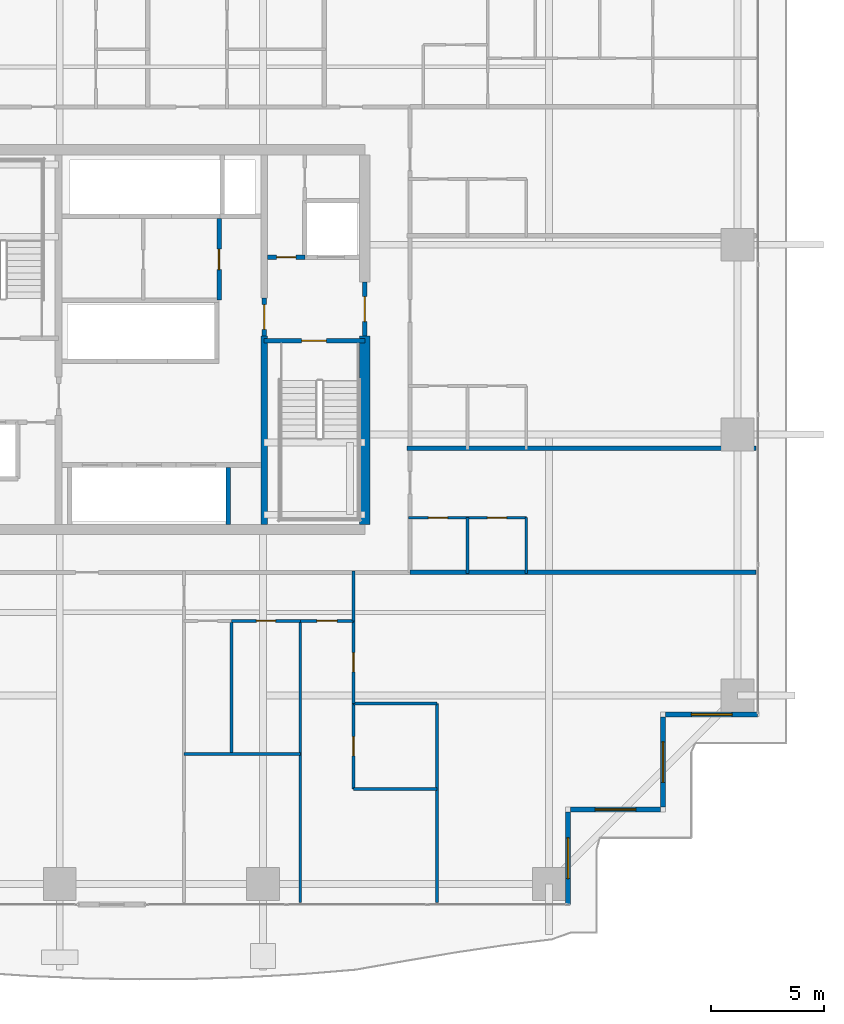
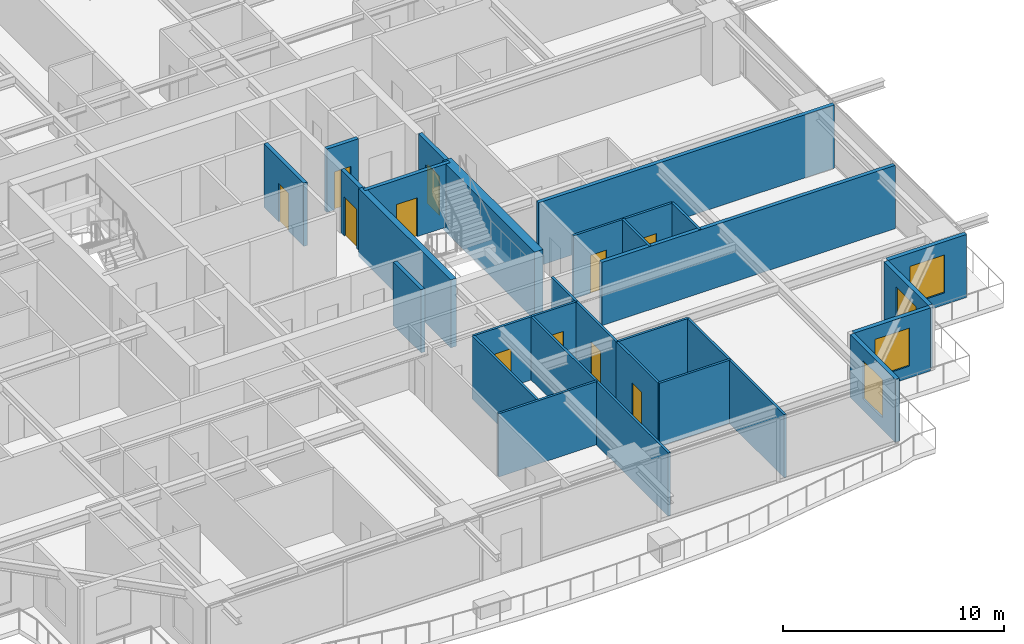
# One storey, part 29 of 40: 29 walls, 11 doors, 4 windows, 15 openings.
"""IFC4 building model written with IfcOpenShell, lengths in metres."""

from ifc_helpers import new_model, si_unit, direction, frame, frame_2d, origin, place, context, subcontext, project, spatial, rectangle, extrude, source, transform, mapped, material, layer, layer_set, type_object, element, fill, save


model = new_model("IFC4")

# Units and contexts
model_context = context("Model", 3, precision=1e-05, world=origin(), true_north=direction((0.0, 1.0)))
body_context = subcontext(model_context, "Body", "Model", "MODEL_VIEW")
ifc_project = project(units=[si_unit("LENGTHUNIT", "METRE"), si_unit("AREAUNIT", "SQUARE_METRE"), si_unit("VOLUMEUNIT", "CUBIC_METRE"), si_unit("PLANEANGLEUNIT", "RADIAN"), si_unit("MASSUNIT", "GRAM", prefix="KILO")], contexts=[model_context])

# Site, building, storey
site_placement = place(None, origin())
site = spatial("IfcSite", under=ifc_project, at=site_placement, CompositionType="ELEMENT")
building_placement = place(site_placement, origin())
building = spatial("IfcBuilding", under=site, at=building_placement, Name="Serunith Strait Residences", CompositionType="ELEMENT")
storey_placement = place(building_placement, frame((0.0, 0.0, 90.449951171875)))
storey = spatial("IfcBuildingStorey", under=building, at=storey_placement, Name="L22", CompositionType="ELEMENT", Elevation=90.449951171875)

# Wall, opening, window
ifc_material_1 = material(Name="Pale-Champagne Aluminium Insulated Panel", Category="aluminium")
ifc_layer_1 = layer(ifc_material_1, 0.219970703125, Name="Pale-Champagne Aluminium Insulated Panel")
ifc_layer_set_1 = layer_set([ifc_layer_1], Name="Pale-Champagne Aluminium Insulated Panel")
wall_type_1 = type_object("IfcWallType", Name="EW-ALUM-220", PredefinedType="ELEMENTEDWALL", material=ifc_layer_set_1)
wall_1_placement = place(storey_placement, frame((50.39990234375, 0.199951171875, 0.0), z_axis=(0.0, 0.0, 1.0), x_axis=(0.0, 1.0, 0.0)))
wall_1 = element("IfcWall", 1, at=wall_1_placement, inside=storey, type_object=wall_type_1, Name="L22 Girih Serrated Corner Wall 02", PredefinedType="ELEMENTEDWALL", context=body_context, shape_type="SweptSolid", body=[
    extrude(rectangle(XDim=4.090087890625, YDim=0.219970703125, at=frame_2d((2.044921875, 0.0))), origin(), (0.0, 0.0, 1.0), 3.47509765625),
])
opening_1_placement = place(wall_1_placement, frame((1.14501953125, 0.0, 0.64990234375)))
opening_1 = element("IfcOpeningElement", 2, at=opening_1_placement, cuts=wall_1, Name="Opening W-01", PredefinedType="OPENING", context=body_context, shape_type="SweptSolid", body=[
    extrude(rectangle(XDim=1.800048828125, YDim=2.10009765625, at=frame_2d((0.89990234375, 1.050048828125))), frame((0.0, 0.1201171875, 0.0), z_axis=(0.0, -1.0, 0.0), x_axis=(1.0, 0.0, 0.0)), (0.0, 0.0, 1.0), 0.239990234375),
])
ifc_material_2 = material(Name="Ceramic-Fritted Operable Aluminium Window Glass", Category="aluminium")
window_type = type_object("IfcWindowType", Name="WIN-C1", PartitioningType="DOUBLE_PANEL_VERTICAL", PredefinedType="WINDOW", material=ifc_material_2)
shared_shape_1 = source(origin(), body_context, "Body", "SweptSolid", [
    extrude(rectangle(XDim=1.800048828125, YDim=2.10009765625, at=frame_2d((0.89990234375, 1.050048828125))), frame((0.0, 0.030029296875, 0.0), z_axis=(0.0, -1.0, 0.0), x_axis=(1.0, 0.0, 0.0)), (0.0, 0.0, 1.0), 0.06005859375),
])
window_1_placement = place(opening_1_placement, origin())
window_1 = element("IfcWindow", 3, at=window_1_placement, inside=storey, type_object=window_type, Name="L22 Corner Operable Fritted Window 02", OverallHeight=2.10009765625, OverallWidth=1.800048828125, PartitioningType="SINGLE_PANEL", PredefinedType="WINDOW", context=body_context, shape_type="MappedRepresentation", body=[
    mapped(shared_shape_1, transform((0.0, 0.0, 0.0), scale=1.0)),
])
fill(opening_1, window_1)

wall_2_placement = place(storey_placement, frame((50.510009765625, 4.39990234375, 0.0), z_axis=(0.0, 0.0, 1.0), x_axis=(1.0, 0.0, 0.0)))
wall_2 = element("IfcWall", 4, at=wall_2_placement, inside=storey, type_object=wall_type_1, Name="L22 Girih Serrated Corner Wall 03", PredefinedType="ELEMENTEDWALL", context=body_context, shape_type="SweptSolid", body=[
    extrude(rectangle(XDim=3.97998046875, YDim=0.219970703125, at=frame_2d((1.989990234375, 0.0))), origin(), (0.0, 0.0, 1.0), 3.47509765625),
])
opening_2_placement = place(wall_2_placement, frame((1.090087890625, 0.0, 0.64990234375)))
opening_2 = element("IfcOpeningElement", 5, at=opening_2_placement, cuts=wall_2, Name="Opening W-01", PredefinedType="OPENING", context=body_context, shape_type="SweptSolid", body=[
    extrude(rectangle(XDim=1.800048828125, YDim=2.10009765625, at=frame_2d((0.89990234375, 1.050048828125))), frame((0.0, 0.1201171875, 0.0), z_axis=(0.0, -1.0, 0.0), x_axis=(1.0, 0.0, 0.0)), (0.0, 0.0, 1.0), 0.239990234375),
])
window_2_placement = place(opening_2_placement, origin())
window_2 = element("IfcWindow", 6, at=window_2_placement, inside=storey, type_object=window_type, Name="L22 Corner Operable Fritted Window 03", OverallHeight=2.10009765625, OverallWidth=1.800048828125, PartitioningType="SINGLE_PANEL", PredefinedType="WINDOW", context=body_context, shape_type="MappedRepresentation", body=[
    mapped(shared_shape_1, transform((0.0, 0.0, 0.0), scale=1.0)),
])
fill(opening_2, window_2)

wall_3_placement = place(storey_placement, frame((54.60009765625, 4.510009765625, 0.0), z_axis=(0.0, 0.0, 1.0), x_axis=(0.0, 1.0, 0.0)))
wall_3 = element("IfcWall", 7, at=wall_3_placement, inside=storey, type_object=wall_type_1, Name="L22 Girih Serrated Corner Wall 04", PredefinedType="ELEMENTEDWALL", context=body_context, shape_type="SweptSolid", body=[
    extrude(rectangle(XDim=3.97998046875, YDim=0.219970703125, at=frame_2d((1.989990234375, 0.0))), origin(), (0.0, 0.0, 1.0), 3.47509765625),
])
opening_3_placement = place(wall_3_placement, frame((1.090087890625, 0.0, 0.64990234375)))
opening_3 = element("IfcOpeningElement", 8, at=opening_3_placement, cuts=wall_3, Name="Opening W-01", PredefinedType="OPENING", context=body_context, shape_type="SweptSolid", body=[
    extrude(rectangle(XDim=1.800048828125, YDim=2.10009765625, at=frame_2d((0.89990234375, 1.050048828125))), frame((0.0, 0.1201171875, 0.0), z_axis=(0.0, -1.0, 0.0), x_axis=(1.0, 0.0, 0.0)), (0.0, 0.0, 1.0), 0.239990234375),
])
window_3_placement = place(opening_3_placement, origin())
window_3 = element("IfcWindow", 9, at=window_3_placement, inside=storey, type_object=window_type, Name="L22 Corner Operable Fritted Window 04", OverallHeight=2.10009765625, OverallWidth=1.800048828125, PartitioningType="SINGLE_PANEL", PredefinedType="WINDOW", context=body_context, shape_type="MappedRepresentation", body=[
    mapped(shared_shape_1, transform((0.0, 0.0, 0.0), scale=1.0)),
])
fill(opening_3, window_3)

wall_4_placement = place(storey_placement, frame((54.7099609375, 8.60009765625, 0.0), z_axis=(0.0, 0.0, 1.0), x_axis=(1.0, 0.0, 0.0)))
wall_4 = element("IfcWall", 10, at=wall_4_placement, inside=storey, type_object=wall_type_1, Name="L22 Girih Serrated Corner Wall 05", PredefinedType="ELEMENTEDWALL", context=body_context, shape_type="SweptSolid", body=[
    extrude(rectangle(XDim=4.090087890625, YDim=0.219970703125, at=frame_2d((2.044921875, 0.0))), origin(), (0.0, 0.0, 1.0), 3.47509765625),
])
opening_4_placement = place(wall_4_placement, frame((1.14501953125, 0.0, 0.64990234375)))
opening_4 = element("IfcOpeningElement", 11, at=opening_4_placement, cuts=wall_4, Name="Opening W-01", PredefinedType="OPENING", context=body_context, shape_type="SweptSolid", body=[
    extrude(rectangle(XDim=1.800048828125, YDim=2.10009765625, at=frame_2d((0.89990234375, 1.050048828125))), frame((0.0, 0.1201171875, 0.0), z_axis=(0.0, -1.0, 0.0), x_axis=(1.0, 0.0, 0.0)), (0.0, 0.0, 1.0), 0.239990234375),
])
window_4_placement = place(opening_4_placement, origin())
window_4 = element("IfcWindow", 12, at=window_4_placement, inside=storey, type_object=window_type, Name="L22 Corner Operable Fritted Window 05", OverallHeight=2.10009765625, OverallWidth=1.800048828125, PartitioningType="SINGLE_PANEL", PredefinedType="WINDOW", context=body_context, shape_type="MappedRepresentation", body=[
    mapped(shared_shape_1, transform((0.0, 0.0, 0.0), scale=1.0)),
])
fill(opening_4, window_4)

# Walls
ifc_material_3 = material(Name="Lightweight steel-stud gypsum partition", Category="steel")
ifc_layer_2 = layer(ifc_material_3, 0.1201171875, Name="Lightweight steel-stud gypsum partition")
ifc_layer_set_2 = layer_set([ifc_layer_2], Name="Lightweight steel-stud gypsum partition")
wall_type_2 = type_object("IfcWallType", Name="IW-PART-120", PredefinedType="PARTITIONING", material=ifc_layer_set_2)
wall_5_placement = place(storey_placement, frame((33.39990234375, 6.860107421875, 0.0), z_axis=(0.0, 0.0, 1.0), x_axis=(1.0, 0.0, 0.0)))
element("IfcWall", 13, at=wall_5_placement, inside=storey, type_object=wall_type_2, Name="L22 Partition Wall 046", PredefinedType="PARTITIONING", context=body_context, shape_type="SweptSolid", body=[
    extrude(rectangle(XDim=5.150146484375, YDim=0.1201171875, at=frame_2d((2.5751953125, 0.0))), origin(), (0.0, 0.0, 1.0), 3.489990234375),
])
wall_6_placement = place(storey_placement, frame((38.550048828125, 0.294921875, 0.0), z_axis=(0.0, 0.0, 1.0), x_axis=(0.0, 1.0, 0.0)))
element("IfcWall", 14, at=wall_6_placement, inside=storey, type_object=wall_type_2, Name="L22 Partition Wall 047", PredefinedType="PARTITIONING", context=body_context, shape_type="SweptSolid", body=[
    extrude(rectangle(XDim=12.455078125, YDim=0.1201171875, at=frame_2d((6.2275390625, 0.0))), origin(), (0.0, 0.0, 1.0), 3.489990234375),
])
wall_7_placement = place(storey_placement, frame((35.5, 6.860107421875, 0.0), z_axis=(0.0, 0.0, 1.0), x_axis=(0.0, 1.0, 0.0)))
element("IfcWall", 15, at=wall_7_placement, inside=storey, type_object=wall_type_2, Name="L22 Partition Wall 048", PredefinedType="PARTITIONING", context=body_context, shape_type="SweptSolid", body=[
    extrude(rectangle(XDim=5.889892578125, YDim=0.1201171875, at=frame_2d((2.94482421875, 0.0))), origin(), (0.0, 0.0, 1.0), 3.489990234375),
])

# Wall, opening, door
wall_8_placement = place(storey_placement, frame((35.501953125, 12.75, 0.0), z_axis=(0.0, 0.0, 1.0), x_axis=(1.0, 0.0, 0.0)))
wall_8 = element("IfcWall", 16, at=wall_8_placement, inside=storey, type_object=wall_type_2, Name="L22 Partition Wall 050", PredefinedType="PARTITIONING", context=body_context, shape_type="SweptSolid", body=[
    extrude(rectangle(XDim=3.048095703125, YDim=0.1201171875, at=frame_2d((1.52392578125, 0.0))), origin(), (0.0, 0.0, 1.0), 3.489990234375),
])
opening_5_placement = place(wall_8_placement, frame((1.09912109375, 0.0, 0.0)))
opening_5 = element("IfcOpeningElement", 17, at=opening_5_placement, cuts=wall_8, Name="Opening D-RM850", PredefinedType="OPENING", context=body_context, shape_type="SweptSolid", body=[
    extrude(rectangle(XDim=0.85009765625, YDim=2.10009765625, at=frame_2d((0.425048828125, 1.050048828125))), frame((0.0, 0.070068359375, 0.0), z_axis=(0.0, -1.0, 0.0), x_axis=(1.0, 0.0, 0.0)), (0.0, 0.0, 1.0), 0.14013671875),
])
ifc_material_4 = material(Name="Engineered timber flush study and kitchen door", Category="wood")
door_type_1 = type_object("IfcDoorType", Name="ID-ROOM-850", OperationType="NOTDEFINED", PredefinedType="DOOR", material=ifc_material_4)
shared_shape_2 = source(origin(), body_context, "Body", "SweptSolid", [
    extrude(rectangle(XDim=0.85009765625, YDim=2.10009765625, at=frame_2d((0.425048828125, 1.050048828125))), frame((0.0, 0.02490234375, 0.0), z_axis=(0.0, -1.0, 0.0), x_axis=(1.0, 0.0, 0.0)), (0.0, 0.0, 1.0), 0.050048828125),
])
door_1_placement = place(opening_5_placement, origin())
door_1 = element("IfcDoor", 18, at=door_1_placement, inside=storey, type_object=door_type_1, Name="L22 Formal Dining Room 2201 Door", OperationType="SINGLE_SWING_RIGHT", OverallHeight=2.10009765625, OverallWidth=0.85009765625, PredefinedType="DOOR", context=body_context, shape_type="MappedRepresentation", body=[
    mapped(shared_shape_2, transform((0.0, 0.0, 0.0), scale=1.0)),
])
fill(opening_5, door_1)

wall_9_placement = place(storey_placement, frame((38.552001953125, 12.75, 0.0), z_axis=(0.0, 0.0, 1.0), x_axis=(1.0, 0.0, 0.0)))
wall_9 = element("IfcWall", 19, at=wall_9_placement, inside=storey, type_object=wall_type_2, Name="L22 Partition Wall 051", PredefinedType="PARTITIONING", context=body_context, shape_type="SweptSolid", body=[
    extrude(rectangle(XDim=2.347900390625, YDim=0.1201171875, at=frame_2d((1.173828125, 0.0))), origin(), (0.0, 0.0, 1.0), 3.489990234375),
])
opening_6_placement = place(wall_9_placement, frame((0.72412109375, 0.0, 0.0)))
opening_6 = element("IfcOpeningElement", 20, at=opening_6_placement, cuts=wall_9, Name="Opening D-RM900", PredefinedType="OPENING", context=body_context, shape_type="SweptSolid", body=[
    extrude(rectangle(XDim=0.89990234375, YDim=2.10009765625, at=frame_2d((0.449951171875, 1.050048828125))), frame((0.0, 0.070068359375, 0.0), z_axis=(0.0, -1.0, 0.0), x_axis=(1.0, 0.0, 0.0)), (0.0, 0.0, 1.0), 0.14013671875),
])
ifc_material_5 = material(Name="Engineered timber flush bedroom door", Category="wood")
door_type_2 = type_object("IfcDoorType", Name="ID-ROOM-900", OperationType="NOTDEFINED", PredefinedType="DOOR", material=ifc_material_5)
shared_shape_3 = source(origin(), body_context, "Body", "SweptSolid", [
    extrude(rectangle(XDim=0.89990234375, YDim=2.10009765625, at=frame_2d((0.449951171875, 1.050048828125))), frame((0.0, 0.02490234375, 0.0), z_axis=(0.0, -1.0, 0.0), x_axis=(1.0, 0.0, 0.0)), (0.0, 0.0, 1.0), 0.050048828125),
])
door_2_placement = place(opening_6_placement, origin())
door_2 = element("IfcDoor", 21, at=door_2_placement, inside=storey, type_object=door_type_2, Name="L22 Master Bedroom E 2201 Door", OperationType="SINGLE_SWING_LEFT", OverallHeight=2.10009765625, OverallWidth=0.89990234375, PredefinedType="DOOR", context=body_context, shape_type="MappedRepresentation", body=[
    mapped(shared_shape_3, transform((0.0, 0.0, 0.0), scale=1.0)),
])
fill(opening_6, door_2)

# Walls
wall_10_placement = place(storey_placement, frame((40.89990234375, 5.30908203125, 0.0), z_axis=(0.0, 0.0, 1.0), x_axis=(1.0, 0.0, 0.0)))
element("IfcWall", 22, at=wall_10_placement, inside=storey, type_object=wall_type_2, Name="L22 Partition Wall 052", PredefinedType="PARTITIONING", context=body_context, shape_type="SweptSolid", body=[
    extrude(rectangle(XDim=3.7001953125, YDim=0.1201171875, at=frame_2d((1.85009765625, 0.0))), origin(), (0.0, 0.0, 1.0), 3.489990234375),
])
wall_11_placement = place(storey_placement, frame((44.60009765625, 0.294921875, 0.0), z_axis=(0.0, 0.0, 1.0), x_axis=(0.0, 1.0, 0.0)))
element("IfcWall", 23, at=wall_11_placement, inside=storey, type_object=wall_type_2, Name="L22 Partition Wall 053", PredefinedType="PARTITIONING", context=body_context, shape_type="SweptSolid", body=[
    extrude(rectangle(XDim=8.798095703125, YDim=0.1201171875, at=frame_2d((4.39892578125, 0.0))), origin(), (0.0, 0.0, 1.0), 3.489990234375),
])
wall_12_placement = place(storey_placement, frame((40.89990234375, 9.093017578125, 0.0), z_axis=(0.0, 0.0, 1.0), x_axis=(1.0, 0.0, 0.0)))
element("IfcWall", 24, at=wall_12_placement, inside=storey, type_object=wall_type_2, Name="L22 Partition Wall 054", PredefinedType="PARTITIONING", context=body_context, shape_type="SweptSolid", body=[
    extrude(rectangle(XDim=3.7001953125, YDim=0.1201171875, at=frame_2d((1.85009765625, 0.0))), origin(), (0.0, 0.0, 1.0), 3.489990234375),
])

# Wall, opening, door
wall_13_placement = place(storey_placement, frame((40.89990234375, 5.30908203125, 0.0), z_axis=(0.0, 0.0, 1.0), x_axis=(0.0, 1.0, 0.0)))
wall_13 = element("IfcWall", 25, at=wall_13_placement, inside=storey, type_object=wall_type_2, Name="L22 Partition Wall 055", PredefinedType="PARTITIONING", context=body_context, shape_type="SweptSolid", body=[
    extrude(rectangle(XDim=3.783935546875, YDim=0.1201171875, at=frame_2d((1.89208984375, 0.0))), origin(), (0.0, 0.0, 1.0), 3.489990234375),
])
opening_7_placement = place(wall_13_placement, frame((1.467041015625, 0.0, 0.0)))
opening_7 = element("IfcOpeningElement", 26, at=opening_7_placement, cuts=wall_13, Name="Opening D-BTH850", PredefinedType="OPENING", context=body_context, shape_type="SweptSolid", body=[
    extrude(rectangle(XDim=0.85009765625, YDim=2.10009765625, at=frame_2d((0.425048828125, 1.050048828125))), frame((0.0, 0.070068359375, 0.0), z_axis=(0.0, -1.0, 0.0), x_axis=(1.0, 0.0, 0.0)), (0.0, 0.0, 1.0), 0.14013671875),
])
ifc_material_6 = material(Name="Moisture-resistant timber bathroom door", Category="wood")
door_type_3 = type_object("IfcDoorType", Name="ID-BATH-850", OperationType="NOTDEFINED", PredefinedType="DOOR", material=ifc_material_6)
door_3_placement = place(opening_7_placement, origin())
door_3 = element("IfcDoor", 27, at=door_3_placement, inside=storey, type_object=door_type_3, Name="L22 En-suite Bathroom E 2201 Door", OperationType="SINGLE_SWING_RIGHT", OverallHeight=2.10009765625, OverallWidth=0.85009765625, PredefinedType="DOOR", context=body_context, shape_type="MappedRepresentation", body=[
    mapped(shared_shape_2, transform((0.0, 0.0, 0.0), scale=1.0)),
])
fill(opening_7, door_3)

wall_14_placement = place(storey_placement, frame((40.89990234375, 9.094970703125, 0.0), z_axis=(0.0, 0.0, 1.0), x_axis=(0.0, 1.0, 0.0)))
wall_14 = element("IfcWall", 28, at=wall_14_placement, inside=storey, type_object=wall_type_2, Name="L22 Partition Wall 056", PredefinedType="PARTITIONING", context=body_context, shape_type="SweptSolid", body=[
    extrude(rectangle(XDim=3.655029296875, YDim=0.1201171875, at=frame_2d((1.82763671875, 0.0))), origin(), (0.0, 0.0, 1.0), 3.489990234375),
])
opening_8_placement = place(wall_14_placement, frame((1.402099609375, 0.0, 0.0)))
opening_8 = element("IfcOpeningElement", 29, at=opening_8_placement, cuts=wall_14, Name="Opening D-RM850", PredefinedType="OPENING", context=body_context, shape_type="SweptSolid", body=[
    extrude(rectangle(XDim=0.85009765625, YDim=2.10009765625, at=frame_2d((0.425048828125, 1.050048828125))), frame((0.0, 0.070068359375, 0.0), z_axis=(0.0, -1.0, 0.0), x_axis=(1.0, 0.0, 0.0)), (0.0, 0.0, 1.0), 0.14013671875),
])
door_4_placement = place(opening_8_placement, origin())
door_4 = element("IfcDoor", 30, at=door_4_placement, inside=storey, type_object=door_type_1, Name="L22 Wardrobe E 2201 Door", OperationType="SINGLE_SWING_LEFT", OverallHeight=2.10009765625, OverallWidth=0.85009765625, PredefinedType="DOOR", context=body_context, shape_type="MappedRepresentation", body=[
    mapped(shared_shape_2, transform((0.0, 0.0, 0.0), scale=1.0)),
])
fill(opening_8, door_4)

# Wall
wall_15_placement = place(storey_placement, frame((40.89990234375, 12.751953125, 0.0), z_axis=(0.0, 0.0, 1.0), x_axis=(0.0, 1.0, 0.0)))
element("IfcWall", 31, at=wall_15_placement, inside=storey, type_object=wall_type_2, Name="L22 Partition Wall 057", PredefinedType="PARTITIONING", context=body_context, shape_type="SweptSolid", body=[
    extrude(rectangle(XDim=2.2080078125, YDim=0.1201171875, at=frame_2d((1.10400390625, 0.0))), origin(), (0.0, 0.0, 1.0), 3.489990234375),
])

# Wall, opening, door
wall_16_placement = place(storey_placement, frame((48.550048828125, 17.320068359375, 0.0), z_axis=(0.0, 0.0, 1.0), x_axis=(-1.0, 0.0, 0.0)))
wall_16 = element("IfcWall", 32, at=wall_16_placement, inside=storey, type_object=wall_type_2, Name="L22 Partition Wall 101", PredefinedType="PARTITIONING", context=body_context, shape_type="SweptSolid", body=[
    extrude(rectangle(XDim=2.60009765625, YDim=0.1201171875, at=frame_2d((1.300048828125, 0.0))), origin(), (0.0, 0.0, 1.0), 3.489990234375),
])
opening_9_placement = place(wall_16_placement, frame((0.875, 0.0, 0.0)))
opening_9 = element("IfcOpeningElement", 33, at=opening_9_placement, cuts=wall_16, Name="Opening D-RM850", PredefinedType="OPENING", context=body_context, shape_type="SweptSolid", body=[
    extrude(rectangle(XDim=0.85009765625, YDim=2.10009765625, at=frame_2d((0.425048828125, 1.050048828125))), frame((0.0, 0.070068359375, 0.0), z_axis=(0.0, -1.0, 0.0), x_axis=(1.0, 0.0, 0.0)), (0.0, 0.0, 1.0), 0.14013671875),
])
door_5_placement = place(opening_9_placement, origin())
door_5 = element("IfcDoor", 34, at=door_5_placement, inside=storey, type_object=door_type_1, Name="L22 Kitchen 2207 Door", OperationType="SINGLE_SWING_RIGHT", OverallHeight=2.10009765625, OverallWidth=0.85009765625, PredefinedType="DOOR", context=body_context, shape_type="MappedRepresentation", body=[
    mapped(shared_shape_2, transform((0.0, 0.0, 0.0), scale=1.0)),
])
fill(opening_9, door_5)

wall_17_placement = place(storey_placement, frame((45.947998046875, 17.320068359375, 0.0), z_axis=(0.0, 0.0, 1.0), x_axis=(-1.0, 0.0, 0.0)))
wall_17 = element("IfcWall", 35, at=wall_17_placement, inside=storey, type_object=wall_type_2, Name="L22 Partition Wall 102", PredefinedType="PARTITIONING", context=body_context, shape_type="SweptSolid", body=[
    extrude(rectangle(XDim=2.60791015625, YDim=0.1201171875, at=frame_2d((1.303955078125, 0.0))), origin(), (0.0, 0.0, 1.0), 3.489990234375),
])
opening_10_placement = place(wall_17_placement, frame((0.87890625, 0.0, 0.0)))
opening_10 = element("IfcOpeningElement", 36, at=opening_10_placement, cuts=wall_17, Name="Opening D-BTH850", PredefinedType="OPENING", context=body_context, shape_type="SweptSolid", body=[
    extrude(rectangle(XDim=0.85009765625, YDim=2.10009765625, at=frame_2d((0.425048828125, 1.050048828125))), frame((0.0, 0.070068359375, 0.0), z_axis=(0.0, -1.0, 0.0), x_axis=(1.0, 0.0, 0.0)), (0.0, 0.0, 1.0), 0.14013671875),
])
door_6_placement = place(opening_10_placement, origin())
door_6 = element("IfcDoor", 37, at=door_6_placement, inside=storey, type_object=door_type_3, Name="L22 Bathroom 2207 Door", OperationType="SINGLE_SWING_LEFT", OverallHeight=2.10009765625, OverallWidth=0.85009765625, PredefinedType="DOOR", context=body_context, shape_type="MappedRepresentation", body=[
    mapped(shared_shape_2, transform((0.0, 0.0, 0.0), scale=1.0)),
])
fill(opening_10, door_6)

# Walls
for number, where, z_axis, x_axis, name in (
    (38, (45.949951171875, 14.840087890625, 0.0), (0.0, 0.0, 1.0), (0.0, 1.0, 0.0), "L22 Partition Wall 103"),
    (39, (48.550048828125, 14.840087890625, 0.0), (0.0, 0.0, 1.0), (0.0, 1.0, 0.0), "L22 Partition Wall 104"),
):
    element("IfcWall", number, at=place(storey_placement, frame(where, z_axis=z_axis, x_axis=x_axis)), inside=storey, type_object=wall_type_2, Name=name, PredefinedType="PARTITIONING", context=body_context, shape_type="SweptSolid", body=[
        extrude(rectangle(XDim=2.47998046875, YDim=0.1201171875, at=frame_2d((1.239990234375, 0.0))), origin(), (0.0, 0.0, 1.0), 3.489990234375),
    ])
ifc_material_7 = material(Name="Twin-stud acoustic gypsum board partition")
ifc_layer_3 = layer(ifc_material_7, 0.199951171875, Name="Twin-stud acoustic gypsum board partition")
ifc_layer_set_3 = layer_set([ifc_layer_3], Name="Twin-stud acoustic gypsum board partition")
wall_type_3 = type_object("IfcWallType", Name="IW-PARTY-200", PredefinedType="PARTITIONING", material=ifc_layer_set_3)
wall_18_placement = place(storey_placement, frame((43.280029296875, 20.39990234375, 0.0), z_axis=(0.0, 0.0, 1.0), x_axis=(1.0, 0.0, 0.0)))
element("IfcWall", 40, at=wall_18_placement, inside=storey, type_object=wall_type_3, Name="L22 Partition Wall 018", PredefinedType="PARTITIONING", context=body_context, shape_type="SweptSolid", body=[
    extrude(rectangle(XDim=15.43798828125, YDim=0.199951171875, at=frame_2d((7.718994140625, 0.0))), origin(), (0.0, 0.0, 1.0), 3.489990234375),
])
wall_19_placement = place(storey_placement, frame((43.39990234375, 14.89990234375, 0.0), z_axis=(0.0, 0.0, 1.0), x_axis=(1.0, 0.0, 0.0)))
element("IfcWall", 41, at=wall_19_placement, inside=storey, type_object=wall_type_3, Name="L22 Partition Wall 021", PredefinedType="PARTITIONING", context=body_context, shape_type="SweptSolid", body=[
    extrude(rectangle(XDim=15.318115234375, YDim=0.199951171875, at=frame_2d((7.6591796875, 0.0))), origin(), (0.0, 0.0, 1.0), 3.489990234375),
])

# Wall, opening, door
ifc_material_8 = material(Name="Autoclaved aerated concrete blockwork", Category="masonry")
ifc_layer_4 = layer(ifc_material_8, 0.199951171875, Name="Autoclaved aerated concrete blockwork")
ifc_layer_set_4 = layer_set([ifc_layer_4], Name="Autoclaved aerated concrete blockwork")
wall_type_4 = type_object("IfcWallType", Name="IW-SHAFT-200", PredefinedType="STANDARD", material=ifc_layer_set_4)
wall_20_placement = place(storey_placement, frame((36.949951171875, 25.14990234375, 0.0), z_axis=(0.0, 0.0, 1.0), x_axis=(1.0, 0.0, 0.0)))
wall_20 = element("IfcWall", 42, at=wall_20_placement, inside=storey, type_object=wall_type_4, Name="L22 ST-2 North Shaft Wall", PredefinedType="STANDARD", context=body_context, shape_type="SweptSolid", body=[
    extrude(rectangle(XDim=4.449951171875, YDim=0.199951171875, at=frame_2d((2.22509765625, 0.0))), origin(), (0.0, 0.0, 1.0), 3.489990234375),
])
opening_11_placement = place(wall_20_placement, frame((1.64990234375, 0.0, 0.0)))
opening_11 = element("IfcOpeningElement", 43, at=opening_11_placement, cuts=wall_20, Name="Opening FD-1100", PredefinedType="OPENING", context=body_context, shape_type="SweptSolid", body=[
    extrude(rectangle(XDim=1.10009765625, YDim=2.14990234375, at=frame_2d((0.550048828125, 1.074951171875))), frame((0.0, 0.10986328125, 0.0), z_axis=(0.0, -1.0, 0.0), x_axis=(1.0, 0.0, 0.0)), (0.0, 0.0, 1.0), 0.219970703125),
])
ifc_material_9 = material(Name="Galvanised steel fire door leaf", Category="steel")
door_type_4 = type_object("IfcDoorType", Name="FD-STAIR-1100", OperationType="NOTDEFINED", PredefinedType="DOOR", material=ifc_material_9)
shared_shape_4 = source(origin(), body_context, "Body", "SweptSolid", [
    extrude(rectangle(XDim=1.10009765625, YDim=2.14990234375, at=frame_2d((0.550048828125, 1.074951171875))), frame((0.0, 0.02490234375, 0.0), z_axis=(0.0, -1.0, 0.0), x_axis=(1.0, 0.0, 0.0)), (0.0, 0.0, 1.0), 0.050048828125),
])
door_7_placement = place(opening_11_placement, origin())
door_7 = element("IfcDoor", 44, at=door_7_placement, inside=storey, type_object=door_type_4, Name="L22 ST-2 Escape Stair Door", OperationType="SINGLE_SWING_LEFT", OverallHeight=2.14990234375, OverallWidth=1.10009765625, PredefinedType="DOOR", context=body_context, shape_type="MappedRepresentation", body=[
    mapped(shared_shape_4, transform((0.0, 0.0, 0.0), scale=1.0)),
])
fill(opening_11, door_7)

# Wall
wall_21_placement = place(storey_placement, frame((35.35009765625, 17.02490234375, 0.0), z_axis=(0.0, 0.0, 1.0), x_axis=(0.0, 1.0, 0.0)))
element("IfcWall", 45, at=wall_21_placement, inside=storey, type_object=wall_type_4, Name="L22 PL-3 East Shaft Wall", PredefinedType="STANDARD", context=body_context, shape_type="SweptSolid", body=[
    extrude(rectangle(XDim=2.525146484375, YDim=0.199951171875, at=frame_2d((1.2626953125, 0.0))), origin(), (0.0, 0.0, 1.0), 3.489990234375),
])

# Wall, opening, door
wall_22_placement = place(storey_placement, frame((37.10009765625, 28.85009765625, 0.0), z_axis=(0.0, 0.0, 1.0), x_axis=(1.0, 0.0, 0.0)))
wall_22 = element("IfcWall", 46, at=wall_22_placement, inside=storey, type_object=wall_type_4, Name="L22 Partition Wall 006", PredefinedType="STANDARD", context=body_context, shape_type="SweptSolid", body=[
    extrude(rectangle(XDim=1.64794921875, YDim=0.199951171875, at=frame_2d((0.823974609375, 0.0))), origin(), (0.0, 0.0, 1.0), 3.489990234375),
])
opening_12_placement = place(wall_22_placement, frame((0.39892578125, 0.0, 0.0)))
opening_12 = element("IfcOpeningElement", 47, at=opening_12_placement, cuts=wall_22, Name="Opening FD-850", PredefinedType="OPENING", context=body_context, shape_type="SweptSolid", body=[
    extrude(rectangle(XDim=0.85009765625, YDim=2.10009765625, at=frame_2d((0.425048828125, 1.050048828125))), frame((0.0, 0.10986328125, 0.0), z_axis=(0.0, -1.0, 0.0), x_axis=(1.0, 0.0, 0.0)), (0.0, 0.0, 1.0), 0.219970703125),
])
ifc_material_10 = material(Name="Powder-coated steel service closet door", Category="steel")
door_type_5 = type_object("IfcDoorType", Name="FD-BOH-850", OperationType="NOTDEFINED", PredefinedType="DOOR", material=ifc_material_10)
door_8_placement = place(opening_12_placement, origin())
door_8 = element("IfcDoor", 48, at=door_8_placement, inside=storey, type_object=door_type_5, Name="L22 North-East Core Service Door", OperationType="SINGLE_SWING_LEFT", OverallHeight=2.10009765625, OverallWidth=0.85009765625, PredefinedType="DOOR", context=body_context, shape_type="MappedRepresentation", body=[
    mapped(shared_shape_2, transform((0.0, 0.0, 0.0), scale=1.0)),
])
fill(opening_12, door_8)

wall_23_placement = place(storey_placement, frame((41.39990234375, 25.35205078125, 0.0), z_axis=(0.0, 0.0, 1.0), x_axis=(0.0, 1.0, 0.0)))
wall_23 = element("IfcWall", 49, at=wall_23_placement, inside=storey, type_object=wall_type_4, Name="L22 Partition Wall 008", PredefinedType="STANDARD", context=body_context, shape_type="SweptSolid", body=[
    extrude(rectangle(XDim=2.39599609375, YDim=0.199951171875, at=frame_2d((1.197998046875, 0.0))), origin(), (0.0, 0.0, 1.0), 3.489990234375),
])
opening_13_placement = place(wall_23_placement, frame((0.64794921875, 0.0, 0.0)))
opening_13 = element("IfcOpeningElement", 50, at=opening_13_placement, cuts=wall_23, Name="Opening FD-FFL", PredefinedType="OPENING", context=body_context, shape_type="SweptSolid", body=[
    extrude(rectangle(XDim=1.10009765625, YDim=2.14990234375, at=frame_2d((0.550048828125, 1.074951171875))), frame((0.0, 0.10986328125, 0.0), z_axis=(0.0, -1.0, 0.0), x_axis=(1.0, 0.0, 0.0)), (0.0, 0.0, 1.0), 0.219970703125),
])
ifc_material_11 = material(Name="Glazed steel smoke-lobby fire door", Category="steel")
door_type_6 = type_object("IfcDoorType", Name="FD-FFL-1100", OperationType="NOTDEFINED", PredefinedType="DOOR", material=ifc_material_11)
door_9_placement = place(opening_13_placement, origin())
door_9 = element("IfcDoor", 51, at=door_9_placement, inside=storey, type_object=door_type_6, Name="L22 FFL-2 Corridor Fire Door", OperationType="SINGLE_SWING_LEFT", OverallHeight=2.14990234375, OverallWidth=1.10009765625, PredefinedType="DOOR", context=body_context, shape_type="MappedRepresentation", body=[
    mapped(shared_shape_4, transform((0.0, 0.0, 0.0), scale=1.0)),
])
fill(opening_13, door_9)

wall_24_placement = place(storey_placement, frame((36.949951171875, 25.35205078125, 0.0), z_axis=(0.0, 0.0, 1.0), x_axis=(0.0, 1.0, 0.0)))
wall_24 = element("IfcWall", 52, at=wall_24_placement, inside=storey, type_object=wall_type_4, Name="L22 Partition Wall 010", PredefinedType="STANDARD", context=body_context, shape_type="SweptSolid", body=[
    extrude(rectangle(XDim=1.696044921875, YDim=0.199951171875, at=frame_2d((0.84814453125, 0.0))), origin(), (0.0, 0.0, 1.0), 3.489990234375),
])
opening_14_placement = place(wall_24_placement, frame((0.298095703125, 0.0, 0.0)))
opening_14 = element("IfcOpeningElement", 53, at=opening_14_placement, cuts=wall_24, Name="Opening FD-FFL", PredefinedType="OPENING", context=body_context, shape_type="SweptSolid", body=[
    extrude(rectangle(XDim=1.10009765625, YDim=2.14990234375, at=frame_2d((0.550048828125, 1.074951171875))), frame((0.0, 0.10986328125, 0.0), z_axis=(0.0, -1.0, 0.0), x_axis=(1.0, 0.0, 0.0)), (0.0, 0.0, 1.0), 0.219970703125),
])
door_10_placement = place(opening_14_placement, origin())
door_10 = element("IfcDoor", 54, at=door_10_placement, inside=storey, type_object=door_type_6, Name="L22 FFL-2 Lift Lobby Door", OperationType="SINGLE_SWING_LEFT", OverallHeight=2.14990234375, OverallWidth=1.10009765625, PredefinedType="DOOR", context=body_context, shape_type="MappedRepresentation", body=[
    mapped(shared_shape_4, transform((0.0, 0.0, 0.0), scale=1.0)),
])
fill(opening_14, door_10)

wall_25_placement = place(storey_placement, frame((34.949951171875, 26.949951171875, 0.0), z_axis=(0.0, 0.0, 1.0), x_axis=(0.0, 1.0, 0.0)))
wall_25 = element("IfcWall", 55, at=wall_25_placement, inside=storey, type_object=wall_type_4, Name="L22 Partition Wall 013", PredefinedType="STANDARD", context=body_context, shape_type="SweptSolid", body=[
    extrude(rectangle(XDim=3.60009765625, YDim=0.199951171875, at=frame_2d((1.800048828125, 0.0))), origin(), (0.0, 0.0, 1.0), 3.489990234375),
])
opening_15_placement = place(wall_25_placement, frame((1.35009765625, 0.0, 0.0)))
opening_15 = element("IfcOpeningElement", 56, at=opening_15_placement, cuts=wall_25, Name="Opening FD-900", PredefinedType="OPENING", context=body_context, shape_type="SweptSolid", body=[
    extrude(rectangle(XDim=0.89990234375, YDim=2.10009765625, at=frame_2d((0.449951171875, 1.050048828125))), frame((0.0, 0.10986328125, 0.0), z_axis=(0.0, -1.0, 0.0), x_axis=(1.0, 0.0, 0.0)), (0.0, 0.0, 1.0), 0.219970703125),
])
ifc_material_12 = material(Name="Powder-coated steel riser door", Category="steel")
door_type_7 = type_object("IfcDoorType", Name="FD-BOH-900", OperationType="NOTDEFINED", PredefinedType="DOOR", material=ifc_material_12)
door_11_placement = place(opening_15_placement, origin())
door_11 = element("IfcDoor", 57, at=door_11_placement, inside=storey, type_object=door_type_7, Name="L22 Central Comms Door", OperationType="SINGLE_SWING_LEFT", OverallHeight=2.10009765625, OverallWidth=0.89990234375, PredefinedType="DOOR", context=body_context, shape_type="MappedRepresentation", body=[
    mapped(shared_shape_3, transform((0.0, 0.0, 0.0), scale=1.0)),
])
fill(opening_15, door_11)

# Walls
ifc_material_13 = material(Name="Concrete C80/95", Category="concrete")
ifc_layer_5 = layer(ifc_material_13, 0.300048828125, Name="Concrete C80/95")
ifc_layer_set_5 = layer_set([ifc_layer_5], Name="Concrete C80/95")
wall_type_5 = type_object("IfcWallType", Name="SW-300-C80", PredefinedType="SHEAR", material=ifc_layer_set_5)
wall_26_placement = place(storey_placement, frame((36.949951171875, 17.02490234375, -0.260009765625), z_axis=(0.0, 0.0, 1.0), x_axis=(0.0, 1.0, 0.0)))
element("IfcWall", 58, at=wall_26_placement, inside=storey, type_object=wall_type_5, Name="L22 Core Internal East Web South Pier", PredefinedType="SHEAR", context=body_context, shape_type="SweptSolid", body=[
    extrude(rectangle(XDim=8.3251953125, YDim=0.300048828125, at=frame_2d((4.16259765625, 0.0))), origin(), (0.0, 0.0, 1.0), 3.748046875),
])
ifc_layer_6 = layer(ifc_material_13, 0.449951171875, Name="Concrete C80/95")
ifc_layer_set_6 = layer_set([ifc_layer_6], Name="Concrete C80/95")
wall_type_6 = type_object("IfcWallType", Name="SW-450-C80", PredefinedType="SHEAR", material=ifc_layer_set_6)
wall_27_placement = place(storey_placement, frame((41.39990234375, 17.02490234375, -0.260009765625), z_axis=(0.0, 0.0, 1.0), x_axis=(0.0, 1.0, 0.0)))
element("IfcWall", 59, at=wall_27_placement, inside=storey, type_object=wall_type_6, Name="L22 Core East Shear Wall South Pier", PredefinedType="SHEAR", context=body_context, shape_type="SweptSolid", body=[
    extrude(rectangle(XDim=8.3251953125, YDim=0.449951171875, at=frame_2d((4.16259765625, 0.0))), origin(), (0.0, 0.0, 1.0), 3.748046875),
])

save(model, "model.ifc")
